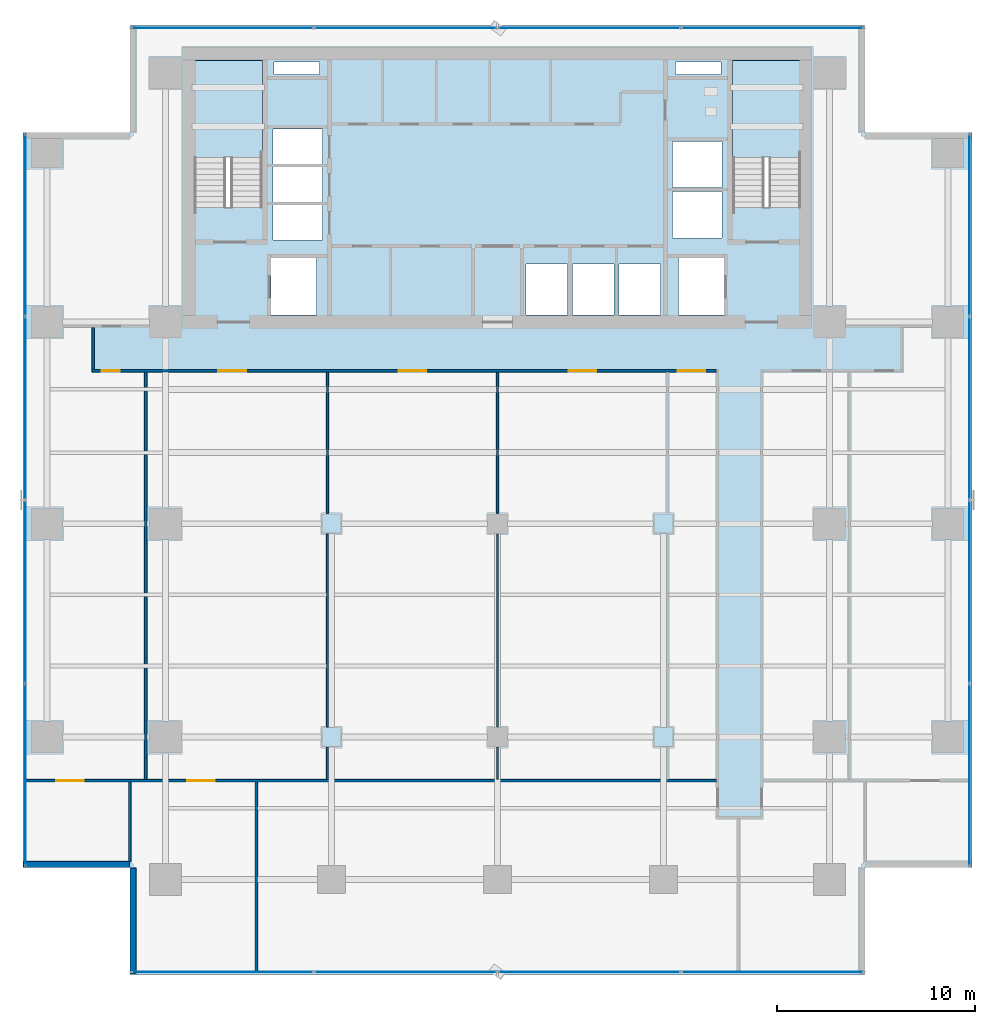
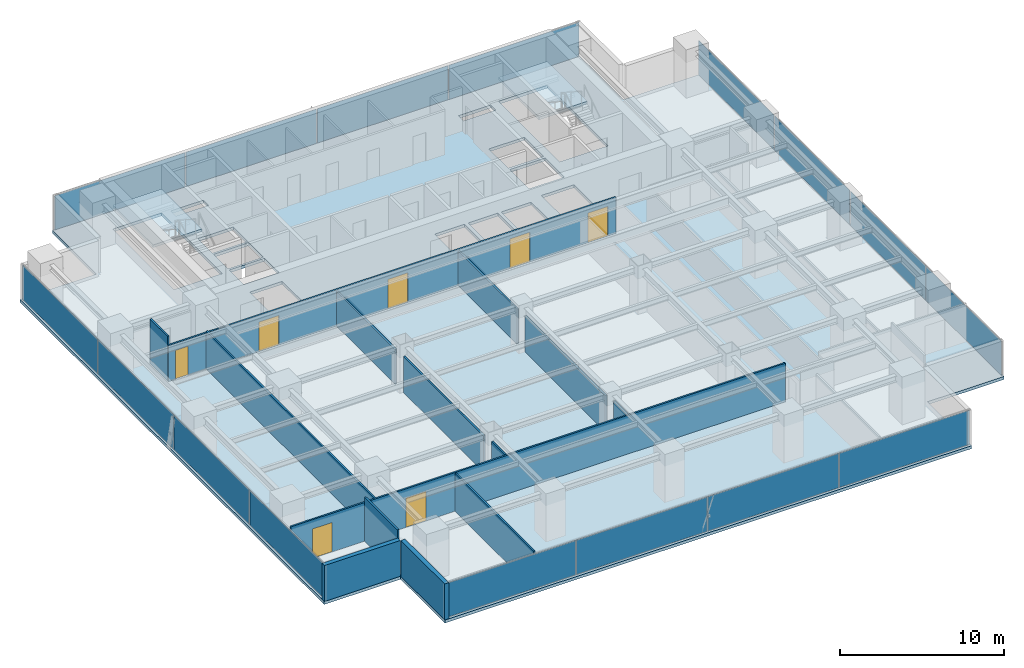
# One storey, part 20 of 28: 16 plates, 14 walls, 7 doors, 3 slabs, 7 openings, 6 elements without a shape of their own.
"""IFC4 building model written with IfcOpenShell, lengths in metres."""

from ifc_helpers import new_model, si_unit, direction, frame, frame_2d, origin, origin_2d, place, context, subcontext, project, spatial, polyline, rectangle, outline, extrude, source, transform, mapped, material, layer, layer_set, type_object, element, fill, aggregate, save


model = new_model("IFC4")

# Units and contexts
model_context = context("Model", 3, precision=1e-05, world=origin(), true_north=direction((0.0, 1.0)))
body_context = subcontext(model_context, "Body", "Model", "MODEL_VIEW")
ifc_project = project(units=[si_unit("LENGTHUNIT", "METRE"), si_unit("AREAUNIT", "SQUARE_METRE"), si_unit("VOLUMEUNIT", "CUBIC_METRE"), si_unit("PLANEANGLEUNIT", "RADIAN"), si_unit("MASSUNIT", "GRAM", prefix="KILO")], contexts=[model_context])

# Site, building, storey
site_placement = place(None, origin())
site = spatial("IfcSite", under=ifc_project, at=site_placement, CompositionType="ELEMENT")
building_placement = place(site_placement, origin())
building = spatial("IfcBuilding", under=site, at=building_placement, Name="Sumidabori Civic Tower", CompositionType="ELEMENT")
storey_placement = place(building_placement, frame((0.0, 0.0, 185.60009765625)))
storey = spatial("IfcBuildingStorey", under=building, at=storey_placement, Name="L48", CompositionType="ELEMENT", Elevation=185.60009765625)

# Stair, slab
ifc_material_1 = material(Name="Concrete C40/50", Category="concrete")
stair_type = type_object("IfcStairType", Name="ST-CORE-1600", PredefinedType="HALF_TURN_STAIR", material=ifc_material_1)
stair_1_placement = place(storey_placement, origin())
stair_1 = element("IfcStair", 1, at=stair_1_placement, inside=storey, type_object=stair_type, Name="L48 ST-1", PredefinedType="HALF_TURN_STAIR")
ifc_layer_1 = layer(ifc_material_1, 0.199951171875, Name="Concrete C40/50")
ifc_layer_set_1 = layer_set([ifc_layer_1], Name="Concrete C40/50")
slab_type_1 = type_object("IfcSlabType", Name="SL-LAND-200", PredefinedType="LANDING", material=ifc_layer_set_1)
slab_1_placement = place(storey_placement, frame((0.0, 0.0, 1.599853515625)))
slab_1 = element("IfcSlab", 2, at=slab_1_placement, type_object=slab_type_1, Name="ST-1 landing 1", PredefinedType="LANDING", context=body_context, shape_type="SweptSolid", body=[
    extrude(outline(polyline([(-11.89990234375, 18.52001953125), (-11.89990234375, 23.449951171875), (-15.340087890625, 23.449951171875), (-15.340087890625, 18.52001953125), (-11.89990234375, 18.52001953125)])), origin(), (0.0, 0.0, 1.0), 0.199951171875),
])
aggregate(stair_1, [slab_1])

stair_2_placement = place(storey_placement, origin())
stair_2 = element("IfcStair", 3, at=stair_2_placement, inside=storey, type_object=stair_type, Name="L48 ST-2", PredefinedType="HALF_TURN_STAIR")
slab_2_placement = place(storey_placement, frame((0.0, 0.0, 1.599853515625)))
slab_2 = element("IfcSlab", 4, at=slab_2_placement, type_object=slab_type_1, Name="ST-2 landing 1", PredefinedType="LANDING", context=body_context, shape_type="SweptSolid", body=[
    extrude(outline(polyline([(15.340087890625, 18.52001953125), (15.340087890625, 23.449951171875), (11.89990234375, 23.449951171875), (11.89990234375, 18.52001953125), (15.340087890625, 18.52001953125)])), origin(), (0.0, 0.0, 1.0), 0.199951171875),
])
aggregate(stair_2, [slab_2])

# Slab
ifc_layer_2 = layer(ifc_material_1, 0.219970703125, Name="Concrete C40/50")
ifc_layer_set_2 = layer_set([ifc_layer_2], Name="Concrete C40/50")
slab_type_2 = type_object("IfcSlabType", Name="SL-Z3-220", PredefinedType="FLOOR", material=ifc_layer_set_2)
slab_3_placement = place(storey_placement, frame((0.0, 0.0, -0.22021484375)))
element("IfcSlab", 5, at=slab_3_placement, inside=storey, type_object=slab_type_2, Name="Structural Slab L48", PredefinedType="FLOOR", context=body_context, shape_type="SweptSolid", body=[
    extrude(outline(polyline([(-18.60009765625, -22.800048828125), (18.60009765625, -22.800048828125), (18.60009765625, -17.39990234375), (24.0, -17.39990234375), (24.0, 19.800048828125), (18.60009765625, 19.800048828125), (18.60009765625, 25.199951171875), (-18.60009765625, 25.199951171875), (-18.60009765625, 19.800048828125), (-24.0, 19.800048828125), (-24.0, -17.39990234375), (-18.60009765625, -17.39990234375), (-18.60009765625, -22.800048828125)]), holes=[polyline([(-11.89990234375, 16.0), (-11.89990234375, 23.449951171875), (-15.340087890625, 23.449951171875), (-15.340087890625, 16.0), (-11.89990234375, 16.0)]), polyline([(15.340087890625, 16.0), (15.340087890625, 23.449951171875), (11.89990234375, 23.449951171875), (11.89990234375, 16.0), (15.340087890625, 16.0)]), polyline([(-11.449951171875, 10.550048828125), (-9.14990234375, 10.550048828125), (-9.14990234375, 13.449951171875), (-11.449951171875, 13.449951171875), (-11.449951171875, 10.550048828125)]), polyline([(9.14990234375, 10.550048828125), (11.449951171875, 10.550048828125), (11.449951171875, 13.449951171875), (9.14990234375, 13.449951171875), (9.14990234375, 10.550048828125)]), polyline([(1.449951171875, 10.550048828125), (3.550048828125, 10.550048828125), (3.550048828125, 13.14990234375), (1.449951171875, 13.14990234375), (1.449951171875, 10.550048828125)]), polyline([(3.800048828125, 10.550048828125), (5.89990234375, 10.550048828125), (5.89990234375, 13.14990234375), (3.800048828125, 13.14990234375), (3.800048828125, 10.550048828125)]), polyline([(6.14990234375, 10.550048828125), (8.25, 10.550048828125), (8.25, 13.14990234375), (6.14990234375, 13.14990234375), (6.14990234375, 10.550048828125)]), polyline([(-11.35009765625, 14.35009765625), (-8.85009765625, 14.35009765625), (-8.85009765625, 16.1201171875), (-11.35009765625, 16.1201171875), (-11.35009765625, 14.35009765625)]), polyline([(-11.35009765625, 16.27001953125), (-8.85009765625, 16.27001953125), (-8.85009765625, 18.0400390625), (-11.35009765625, 18.0400390625), (-11.35009765625, 16.27001953125)]), polyline([(-11.35009765625, 18.18994140625), (-8.85009765625, 18.18994140625), (-8.85009765625, 19.9599609375), (-11.35009765625, 19.9599609375), (-11.35009765625, 18.18994140625)]), polyline([(8.85009765625, 14.449951171875), (11.35009765625, 14.449951171875), (11.35009765625, 16.800048828125), (8.85009765625, 16.800048828125), (8.85009765625, 14.449951171875)]), polyline([(8.85009765625, 17.0), (11.35009765625, 17.0), (11.35009765625, 19.35009765625), (8.85009765625, 19.35009765625), (8.85009765625, 17.0)]), polyline([(-11.300048828125, 22.719970703125), (-9.0, 22.719970703125), (-9.0, 23.35009765625), (-11.300048828125, 23.35009765625), (-11.300048828125, 22.719970703125)]), polyline([(9.0, 22.719970703125), (11.300048828125, 22.719970703125), (11.300048828125, 23.35009765625), (9.0, 23.35009765625), (9.0, 22.719970703125)])]), origin(), (0.0, 0.0, 1.0), 0.22021484375),
])

# Curtain wall, plates
ifc_material_2 = material(Name="Anodised Bronze Aluminium AW-6063-T6", Category="aluminium")
ifc_layer_3 = layer(ifc_material_2, 0.179931640625, Name="Anodised Bronze Aluminium AW-6063-T6")
ifc_layer_set_3 = layer_set([ifc_layer_3], Name="Anodised Bronze Aluminium AW-6063-T6")
curtain_wall_type = type_object("IfcCurtainWallType", Name="CW-SYS-3", PredefinedType="NOTDEFINED", material=ifc_layer_set_3)
curtain_wall_1_placement = place(storey_placement, origin())
curtain_wall_1 = element("IfcCurtainWall", 6, at=curtain_wall_1_placement, inside=storey, type_object=curtain_wall_type, Name="Curtain Wall CW:L48:R01", PredefinedType="NOTDEFINED")
ifc_material_3 = material(Name="Low-E Solar-Control Vision Glazing", Category="glass")
ifc_layer_4 = layer(ifc_material_3, 0.028076171875, Name="Low-E Solar-Control Vision Glazing")
ifc_layer_set_4 = layer_set([ifc_layer_4], Name="Low-E Solar-Control Vision Glazing")
plate_type = type_object("IfcPlateType", Name="CW-PNL-28", PredefinedType="CURTAIN_PANEL", material=ifc_layer_set_4)
shared_shape_1 = source(origin(), body_context, "Body", "SweptSolid", [
    extrude(rectangle(XDim=9.1875, YDim=0.028076171875, at=origin_2d()), origin(), (0.0, 0.0, 1.0), 2.56005859375),
])
plate_1_placement = place(storey_placement, frame((-13.9111328125, -22.679931640625, 0.059814453125), z_axis=(0.0, 0.0, 1.0), x_axis=(1.0, 0.0, 0.0)))
plate_1 = element("IfcPlate", 7, at=plate_1_placement, type_object=plate_type, Name="CW-3 panel 1.1", PredefinedType="CURTAIN_PANEL", context=body_context, shape_type="MappedRepresentation", body=[
    mapped(shared_shape_1, transform((0.0, 0.0, 0.0), x_axis=(1.0, 0.0, 0.0), y_axis=(0.0, 1.0, 0.0), z_axis=(0.0, 0.0, 1.0), scale=1.0)),
])
plate_2_placement = place(storey_placement, frame((13.9111328125, -22.679931640625, 0.059814453125), z_axis=(0.0, 0.0, 1.0), x_axis=(1.0, 0.0, 0.0)))
plate_2 = element("IfcPlate", 8, at=plate_2_placement, type_object=plate_type, Name="CW-3 panel 4.1", PredefinedType="CURTAIN_PANEL", context=body_context, shape_type="MappedRepresentation", body=[
    mapped(shared_shape_1, transform((0.0, 0.0, 0.0), x_axis=(1.0, 0.0, 0.0), y_axis=(0.0, 1.0, 0.0), z_axis=(0.0, 0.0, 1.0), scale=1.0)),
])

curtain_wall_2_placement = place(storey_placement, origin())
curtain_wall_2 = element("IfcCurtainWall", 9, at=curtain_wall_2_placement, inside=storey, type_object=curtain_wall_type, Name="Curtain Wall CW:L48:R04", PredefinedType="NOTDEFINED")
plate_3_placement = place(storey_placement, frame((23.8798828125, -12.711181640625, 0.059814453125), z_axis=(0.0, 0.0, 1.0), x_axis=(0.0, 1.0, 0.0)))
plate_3 = element("IfcPlate", 10, at=plate_3_placement, type_object=plate_type, Name="CW-3 panel 1.1", PredefinedType="CURTAIN_PANEL", context=body_context, shape_type="MappedRepresentation", body=[
    mapped(shared_shape_1, transform((0.0, 0.0, 0.0), x_axis=(1.0, 0.0, 0.0), y_axis=(0.0, 1.0, 0.0), z_axis=(0.0, 0.0, 1.0), scale=1.0)),
])
plate_4_placement = place(storey_placement, frame((23.8798828125, 15.111328125, 0.059814453125), z_axis=(0.0, 0.0, 1.0), x_axis=(0.0, 1.0, 0.0)))
plate_4 = element("IfcPlate", 11, at=plate_4_placement, type_object=plate_type, Name="CW-3 panel 4.1", PredefinedType="CURTAIN_PANEL", context=body_context, shape_type="MappedRepresentation", body=[
    mapped(shared_shape_1, transform((0.0, 0.0, 0.0), x_axis=(1.0, 0.0, 0.0), y_axis=(0.0, 1.0, 0.0), z_axis=(0.0, 0.0, 1.0), scale=1.0)),
])

curtain_wall_3_placement = place(storey_placement, origin())
curtain_wall_3 = element("IfcCurtainWall", 12, at=curtain_wall_3_placement, inside=storey, type_object=curtain_wall_type, Name="Curtain Wall CW:L48:R07", PredefinedType="NOTDEFINED")
plate_5_placement = place(storey_placement, frame((13.9111328125, 25.080078125, 0.059814453125), z_axis=(0.0, 0.0, 1.0), x_axis=(-1.0, 0.0, 0.0)))
plate_5 = element("IfcPlate", 13, at=plate_5_placement, type_object=plate_type, Name="CW-3 panel 1.1", PredefinedType="CURTAIN_PANEL", context=body_context, shape_type="MappedRepresentation", body=[
    mapped(shared_shape_1, transform((0.0, 0.0, 0.0), x_axis=(1.0, 0.0, 0.0), y_axis=(0.0, 1.0, 0.0), z_axis=(0.0, 0.0, 1.0), scale=1.0)),
])
plate_6_placement = place(storey_placement, frame((-13.9111328125, 25.080078125, 0.059814453125), z_axis=(0.0, 0.0, 1.0), x_axis=(-1.0, 0.0, 0.0)))
plate_6 = element("IfcPlate", 14, at=plate_6_placement, type_object=plate_type, Name="CW-3 panel 4.1", PredefinedType="CURTAIN_PANEL", context=body_context, shape_type="MappedRepresentation", body=[
    mapped(shared_shape_1, transform((0.0, 0.0, 0.0), x_axis=(1.0, 0.0, 0.0), y_axis=(0.0, 1.0, 0.0), z_axis=(0.0, 0.0, 1.0), scale=1.0)),
])

curtain_wall_4_placement = place(storey_placement, origin())
curtain_wall_4 = element("IfcCurtainWall", 15, at=curtain_wall_4_placement, inside=storey, type_object=curtain_wall_type, Name="Curtain Wall CW:L48:R10", PredefinedType="NOTDEFINED")
plate_7_placement = place(storey_placement, frame((-23.8798828125, 15.111328125, 0.059814453125), z_axis=(0.0, 0.0, 1.0), x_axis=(0.0, -1.0, 0.0)))
plate_7 = element("IfcPlate", 16, at=plate_7_placement, type_object=plate_type, Name="CW-3 panel 1.1", PredefinedType="CURTAIN_PANEL", context=body_context, shape_type="MappedRepresentation", body=[
    mapped(shared_shape_1, transform((0.0, 0.0, 0.0), x_axis=(1.0, 0.0, 0.0), y_axis=(0.0, 1.0, 0.0), z_axis=(0.0, 0.0, 1.0), scale=1.0)),
])
plate_8_placement = place(storey_placement, frame((-23.8798828125, -12.711181640625, 0.059814453125), z_axis=(0.0, 0.0, 1.0), x_axis=(0.0, -1.0, 0.0)))
plate_8 = element("IfcPlate", 17, at=plate_8_placement, type_object=plate_type, Name="CW-3 panel 4.1", PredefinedType="CURTAIN_PANEL", context=body_context, shape_type="MappedRepresentation", body=[
    mapped(shared_shape_1, transform((0.0, 0.0, 0.0), x_axis=(1.0, 0.0, 0.0), y_axis=(0.0, 1.0, 0.0), z_axis=(0.0, 0.0, 1.0), scale=1.0)),
])

# Plate
shared_shape_2 = source(origin(), body_context, "Body", "SweptSolid", [
    extrude(rectangle(XDim=9.219970703125, YDim=0.028076171875, at=origin_2d()), origin(), (0.0, 0.0, 1.0), 2.56005859375),
])
plate_9_placement = place(storey_placement, frame((-4.642578125, -22.679931640625, 0.059814453125), z_axis=(0.0, 0.0, 1.0), x_axis=(1.0, 0.0, 0.0)))
plate_9 = element("IfcPlate", 18, at=plate_9_placement, type_object=plate_type, Name="CW-3 panel 2.1", PredefinedType="CURTAIN_PANEL", context=body_context, shape_type="MappedRepresentation", body=[
    mapped(shared_shape_2, transform((0.0, 0.0, 0.0), x_axis=(1.0, 0.0, 0.0), y_axis=(0.0, 1.0, 0.0), z_axis=(0.0, 0.0, 1.0), scale=1.0)),
])

plate_10_placement = place(storey_placement, frame((4.642578125, -22.679931640625, 0.059814453125), z_axis=(0.0, 0.0, 1.0), x_axis=(1.0, 0.0, 0.0)))
plate_10 = element("IfcPlate", 19, at=plate_10_placement, type_object=plate_type, Name="CW-3 panel 3.1", PredefinedType="CURTAIN_PANEL", context=body_context, shape_type="MappedRepresentation", body=[
    mapped(shared_shape_2, transform((0.0, 0.0, 0.0), x_axis=(1.0, 0.0, 0.0), y_axis=(0.0, 1.0, 0.0), z_axis=(0.0, 0.0, 1.0), scale=1.0)),
])

aggregate(curtain_wall_1, [plate_1, plate_9, plate_10, plate_2])

plate_11_placement = place(storey_placement, frame((23.8798828125, -3.4423828125, 0.059814453125), z_axis=(0.0, 0.0, 1.0), x_axis=(0.0, 1.0, 0.0)))
plate_11 = element("IfcPlate", 20, at=plate_11_placement, type_object=plate_type, Name="CW-3 panel 2.1", PredefinedType="CURTAIN_PANEL", context=body_context, shape_type="MappedRepresentation", body=[
    mapped(shared_shape_2, transform((0.0, 0.0, 0.0), x_axis=(1.0, 0.0, 0.0), y_axis=(0.0, 1.0, 0.0), z_axis=(0.0, 0.0, 1.0), scale=1.0)),
])

plate_12_placement = place(storey_placement, frame((23.8798828125, 5.842529296875, 0.059814453125), z_axis=(0.0, 0.0, 1.0), x_axis=(0.0, 1.0, 0.0)))
plate_12 = element("IfcPlate", 21, at=plate_12_placement, type_object=plate_type, Name="CW-3 panel 3.1", PredefinedType="CURTAIN_PANEL", context=body_context, shape_type="MappedRepresentation", body=[
    mapped(shared_shape_2, transform((0.0, 0.0, 0.0), x_axis=(1.0, 0.0, 0.0), y_axis=(0.0, 1.0, 0.0), z_axis=(0.0, 0.0, 1.0), scale=1.0)),
])

aggregate(curtain_wall_2, [plate_3, plate_11, plate_12, plate_4])

plate_13_placement = place(storey_placement, frame((4.642578125, 25.080078125, 0.059814453125), z_axis=(0.0, 0.0, 1.0), x_axis=(-1.0, 0.0, 0.0)))
plate_13 = element("IfcPlate", 22, at=plate_13_placement, type_object=plate_type, Name="CW-3 panel 2.1", PredefinedType="CURTAIN_PANEL", context=body_context, shape_type="MappedRepresentation", body=[
    mapped(shared_shape_2, transform((0.0, 0.0, 0.0), x_axis=(1.0, 0.0, 0.0), y_axis=(0.0, 1.0, 0.0), z_axis=(0.0, 0.0, 1.0), scale=1.0)),
])

plate_14_placement = place(storey_placement, frame((-4.642578125, 25.080078125, 0.059814453125), z_axis=(0.0, 0.0, 1.0), x_axis=(-1.0, 0.0, 0.0)))
plate_14 = element("IfcPlate", 23, at=plate_14_placement, type_object=plate_type, Name="CW-3 panel 3.1", PredefinedType="CURTAIN_PANEL", context=body_context, shape_type="MappedRepresentation", body=[
    mapped(shared_shape_2, transform((0.0, 0.0, 0.0), x_axis=(1.0, 0.0, 0.0), y_axis=(0.0, 1.0, 0.0), z_axis=(0.0, 0.0, 1.0), scale=1.0)),
])

aggregate(curtain_wall_3, [plate_5, plate_13, plate_14, plate_6])

plate_15_placement = place(storey_placement, frame((-23.8798828125, 5.842529296875, 0.059814453125), z_axis=(0.0, 0.0, 1.0), x_axis=(0.0, -1.0, 0.0)))
plate_15 = element("IfcPlate", 24, at=plate_15_placement, type_object=plate_type, Name="CW-3 panel 2.1", PredefinedType="CURTAIN_PANEL", context=body_context, shape_type="MappedRepresentation", body=[
    mapped(shared_shape_2, transform((0.0, 0.0, 0.0), x_axis=(1.0, 0.0, 0.0), y_axis=(0.0, 1.0, 0.0), z_axis=(0.0, 0.0, 1.0), scale=1.0)),
])

plate_16_placement = place(storey_placement, frame((-23.8798828125, -3.4423828125, 0.059814453125), z_axis=(0.0, 0.0, 1.0), x_axis=(0.0, -1.0, 0.0)))
plate_16 = element("IfcPlate", 25, at=plate_16_placement, type_object=plate_type, Name="CW-3 panel 3.1", PredefinedType="CURTAIN_PANEL", context=body_context, shape_type="MappedRepresentation", body=[
    mapped(shared_shape_2, transform((0.0, 0.0, 0.0), x_axis=(1.0, 0.0, 0.0), y_axis=(0.0, 1.0, 0.0), z_axis=(0.0, 0.0, 1.0), scale=1.0)),
])

aggregate(curtain_wall_4, [plate_7, plate_15, plate_16, plate_8])

# Walls
ifc_material_4 = material(Name="Precast concrete C40/50", Category="concrete")
ifc_layer_5 = layer(ifc_material_4, 0.300048828125, Name="Precast concrete C40/50")
ifc_layer_set_5 = layer_set([ifc_layer_5], Name="Precast concrete C40/50")
wall_type_1 = type_object("IfcWallType", Name="WL-EXT-POD300", PredefinedType="STANDARD", material=ifc_layer_set_5)
shared_shape_3 = source(origin(), body_context, "Body", "SweptSolid", [
    extrude(rectangle(XDim=5.360107421875, YDim=0.300048828125, at=frame_2d((2.68017578125, 0.0))), origin(), (0.0, 0.0, 1.0), 2.679931640625),
])
wall_1_placement = place(storey_placement, frame((-18.449951171875, -17.419921875, 0.0), z_axis=(0.0, 0.0, 1.0), x_axis=(0.0, -1.0, 0.0)))
element("IfcWall", 26, at=wall_1_placement, inside=storey, type_object=wall_type_1, Name="Notched Corner Spandrel Band L48-12", PredefinedType="STANDARD", context=body_context, shape_type="MappedRepresentation", body=[
    mapped(shared_shape_3, transform((0.0, 0.0, 0.0), x_axis=(1.0, 0.0, 0.0), y_axis=(0.0, 1.0, 0.0), z_axis=(0.0, 0.0, 1.0), scale=1.0)),
])
shared_shape_4 = source(origin(), body_context, "Body", "SweptSolid", [
    extrude(rectangle(XDim=5.35986328125, YDim=0.300048828125, at=frame_2d((2.679931640625, 0.0))), origin(), (0.0, 0.0, 1.0), 2.679931640625),
])
wall_2_placement = place(storey_placement, frame((-23.97998046875, -17.25, 0.0), z_axis=(0.0, 0.0, 1.0), x_axis=(1.0, 0.0, 0.0)))
element("IfcWall", 27, at=wall_2_placement, inside=storey, type_object=wall_type_1, Name="Notched Corner Spandrel Band L48-11", PredefinedType="STANDARD", context=body_context, shape_type="MappedRepresentation", body=[
    mapped(shared_shape_4, transform((0.0, 0.0, 0.0), x_axis=(1.0, 0.0, 0.0), y_axis=(0.0, 1.0, 0.0), z_axis=(0.0, 0.0, 1.0), scale=1.0)),
])

# Wall, openings, doors
ifc_material_5 = material(Name="Gypsum Plasterboard Acoustic Partition")
ifc_layer_6 = layer(ifc_material_5, 0.1201171875, Name="Gypsum Plasterboard Acoustic Partition")
ifc_layer_set_6 = layer_set([ifc_layer_6], Name="Gypsum Plasterboard Acoustic Partition")
wall_type_2 = type_object("IfcWallType", Name="WL-PART-120", PredefinedType="PARTITIONING", material=ifc_layer_set_6)
shared_shape_5 = source(origin(), body_context, "Body", "SweptSolid", [
    extrude(rectangle(XDim=31.60009765625, YDim=0.1201171875, at=frame_2d((15.800048828125, 0.0))), origin(), (0.0, 0.0, 1.0), 2.684814453125),
])
wall_3_placement = place(storey_placement, frame((-20.52001953125, 7.739990234375, 0.0), z_axis=(0.0, 0.0, 1.0), x_axis=(1.0, 0.0, 0.0)))
wall_3 = element("IfcWall", 28, at=wall_3_placement, inside=storey, type_object=wall_type_2, Name="Interior Partition WL:L48:CORR-SW", PredefinedType="PARTITIONING", context=body_context, shape_type="MappedRepresentation", body=[
    mapped(shared_shape_5, transform((0.0, 0.0, 0.0), x_axis=(1.0, 0.0, 0.0), y_axis=(0.0, 1.0, 0.0), z_axis=(0.0, 0.0, 1.0), scale=1.0)),
])
opening_1_placement = place(wall_3_placement, frame((0.5, 0.0, 0.0)))
opening_1 = element("IfcOpeningElement", 29, at=opening_1_placement, cuts=wall_3, Name="Opening DR-1", PredefinedType="OPENING", context=body_context, shape_type="SweptSolid", body=[
    extrude(rectangle(XDim=0.89990234375, YDim=2.14990234375, at=frame_2d((0.449951171875, 1.074951171875))), frame((0.0, 0.072021484375, 0.0), z_axis=(0.0, -1.0, 0.0), x_axis=(1.0, 0.0, 0.0)), (0.0, 0.0, 1.0), 0.14404296875),
])
opening_2_placement = place(wall_3_placement, frame((6.39990234375, 0.0, 0.0)))
opening_2 = element("IfcOpeningElement", 30, at=opening_2_placement, cuts=wall_3, Name="Opening DR-5", PredefinedType="OPENING", context=body_context, shape_type="SweptSolid", body=[
    extrude(rectangle(XDim=1.39990234375, YDim=2.199951171875, at=frame_2d((0.699951171875, 1.10009765625))), frame((0.0, 0.072021484375, 0.0), z_axis=(0.0, -1.0, 0.0), x_axis=(1.0, 0.0, 0.0)), (0.0, 0.0, 1.0), 0.14404296875),
])
opening_3_placement = place(wall_3_placement, frame((15.52001953125, 0.0, 0.0)))
opening_3 = element("IfcOpeningElement", 31, at=opening_3_placement, cuts=wall_3, Name="Opening DR-5", PredefinedType="OPENING", context=body_context, shape_type="SweptSolid", body=[
    extrude(rectangle(XDim=1.39990234375, YDim=2.199951171875, at=frame_2d((0.699951171875, 1.10009765625))), frame((0.0, 0.072021484375, 0.0), z_axis=(0.0, -1.0, 0.0), x_axis=(1.0, 0.0, 0.0)), (0.0, 0.0, 1.0), 0.14404296875),
])
opening_4_placement = place(wall_3_placement, frame((24.1201171875, 0.0, 0.0)))
opening_4 = element("IfcOpeningElement", 32, at=opening_4_placement, cuts=wall_3, Name="Opening DR-5", PredefinedType="OPENING", context=body_context, shape_type="SweptSolid", body=[
    extrude(rectangle(XDim=1.39990234375, YDim=2.199951171875, at=frame_2d((0.699951171875, 1.10009765625))), frame((0.0, 0.072021484375, 0.0), z_axis=(0.0, -1.0, 0.0), x_axis=(1.0, 0.0, 0.0)), (0.0, 0.0, 1.0), 0.14404296875),
])
opening_5_placement = place(wall_3_placement, frame((29.6298828125, 0.0, 0.0)))
opening_5 = element("IfcOpeningElement", 33, at=opening_5_placement, cuts=wall_3, Name="Opening DR-5", PredefinedType="OPENING", context=body_context, shape_type="SweptSolid", body=[
    extrude(rectangle(XDim=1.39990234375, YDim=2.199951171875, at=frame_2d((0.699951171875, 1.10009765625))), frame((0.0, 0.072021484375, 0.0), z_axis=(0.0, -1.0, 0.0), x_axis=(1.0, 0.0, 0.0)), (0.0, 0.0, 1.0), 0.14404296875),
])
ifc_material_6 = material(Name="Japanese Hinoki Timber", Category="wood")
door_type_1 = type_object("IfcDoorType", Name="DR-INT-900", OperationType="NOTDEFINED", PredefinedType="DOOR", material=ifc_material_6)
shared_shape_6 = source(origin(), body_context, "Body", "SweptSolid", [
    extrude(rectangle(XDim=0.89990234375, YDim=2.14990234375, at=frame_2d((0.449951171875, 1.074951171875))), frame((0.0, 0.02490234375, 0.0), z_axis=(0.0, -1.0, 0.0), x_axis=(1.0, 0.0, 0.0)), (0.0, 0.0, 1.0), 0.050048828125),
])
door_1_placement = place(opening_1_placement, origin())
door_1 = element("IfcDoor", 34, at=door_1_placement, inside=storey, type_object=door_type_1, Name="Door DR:L48:D02", OperationType="SINGLE_SWING_RIGHT", OverallHeight=2.14990234375, OverallWidth=0.89990234375, PredefinedType="DOOR", context=body_context, shape_type="MappedRepresentation", body=[
    mapped(shared_shape_6, transform((0.0, 0.0, 0.0), x_axis=(1.0, 0.0, 0.0), y_axis=(0.0, 1.0, 0.0), z_axis=(0.0, 0.0, 1.0), scale=1.0)),
])
fill(opening_1, door_1)
door_type_2 = type_object("IfcDoorType", Name="DR-DBL-1400", OperationType="DOUBLE_DOOR_SINGLE_SWING", PredefinedType="DOOR", material=ifc_material_2)
shared_shape_7 = source(origin(), body_context, "Body", "SweptSolid", [
    extrude(rectangle(XDim=1.39990234375, YDim=2.199951171875, at=frame_2d((0.699951171875, 1.10009765625))), frame((0.0, 0.02490234375, 0.0), z_axis=(0.0, -1.0, 0.0), x_axis=(1.0, 0.0, 0.0)), (0.0, 0.0, 1.0), 0.050048828125),
])
door_2_placement = place(opening_2_placement, origin())
door_2 = element("IfcDoor", 35, at=door_2_placement, inside=storey, type_object=door_type_2, Name="Door DR:L48:D05", OperationType="DOUBLE_DOOR_SINGLE_SWING", OverallHeight=2.199951171875, OverallWidth=1.39990234375, PredefinedType="DOOR", context=body_context, shape_type="MappedRepresentation", body=[
    mapped(shared_shape_7, transform((0.0, 0.0, 0.0), x_axis=(1.0, 0.0, 0.0), y_axis=(0.0, 1.0, 0.0), z_axis=(0.0, 0.0, 1.0), scale=1.0)),
])
fill(opening_2, door_2)
door_3_placement = place(opening_3_placement, origin())
door_3 = element("IfcDoor", 36, at=door_3_placement, inside=storey, type_object=door_type_2, Name="Door DR:L48:D06", OperationType="DOUBLE_DOOR_SINGLE_SWING", OverallHeight=2.199951171875, OverallWidth=1.39990234375, PredefinedType="DOOR", context=body_context, shape_type="MappedRepresentation", body=[
    mapped(shared_shape_7, transform((0.0, 0.0, 0.0), x_axis=(1.0, 0.0, 0.0), y_axis=(0.0, 1.0, 0.0), z_axis=(0.0, 0.0, 1.0), scale=1.0)),
])
fill(opening_3, door_3)
door_4_placement = place(opening_4_placement, origin())
door_4 = element("IfcDoor", 37, at=door_4_placement, inside=storey, type_object=door_type_2, Name="Door DR:L48:D07", OperationType="DOUBLE_DOOR_SINGLE_SWING", OverallHeight=2.199951171875, OverallWidth=1.39990234375, PredefinedType="DOOR", context=body_context, shape_type="MappedRepresentation", body=[
    mapped(shared_shape_7, transform((0.0, 0.0, 0.0), x_axis=(1.0, 0.0, 0.0), y_axis=(0.0, 1.0, 0.0), z_axis=(0.0, 0.0, 1.0), scale=1.0)),
])
fill(opening_4, door_4)
door_5_placement = place(opening_5_placement, origin())
door_5 = element("IfcDoor", 38, at=door_5_placement, inside=storey, type_object=door_type_2, Name="Door DR:L48:D08", OperationType="DOUBLE_DOOR_SINGLE_SWING", OverallHeight=2.199951171875, OverallWidth=1.39990234375, PredefinedType="DOOR", context=body_context, shape_type="MappedRepresentation", body=[
    mapped(shared_shape_7, transform((0.0, 0.0, 0.0), x_axis=(1.0, 0.0, 0.0), y_axis=(0.0, 1.0, 0.0), z_axis=(0.0, 0.0, 1.0), scale=1.0)),
])
fill(opening_5, door_5)

# Wall
shared_shape_8 = source(origin(), body_context, "Body", "SweptSolid", [
    extrude(rectangle(XDim=2.130126953125, YDim=0.1201171875, at=frame_2d((1.06494140625, 0.0))), origin(), (0.0, 0.0, 1.0), 3.2998046875),
])
wall_4_placement = place(storey_placement, frame((-20.4599609375, 7.804931640625, 0.0), z_axis=(0.0, 0.0, 1.0), x_axis=(0.0, 1.0, 0.0)))
element("IfcWall", 39, at=wall_4_placement, inside=storey, type_object=wall_type_2, Name="Interior Partition WL:L48:CORR-VNW", PredefinedType="PARTITIONING", context=body_context, shape_type="MappedRepresentation", body=[
    mapped(shared_shape_8, transform((0.0, 0.0, 0.0), x_axis=(1.0, 0.0, 0.0), y_axis=(0.0, 1.0, 0.0), z_axis=(0.0, 0.0, 1.0), scale=1.0)),
])

# Wall, openings, doors
shared_shape_9 = source(origin(), body_context, "Body", "SweptSolid", [
    extrude(rectangle(XDim=34.925048828125, YDim=0.1201171875, at=frame_2d((17.46240234375, 0.0))), origin(), (0.0, 0.0, 1.0), 2.885009765625),
])
wall_5_placement = place(storey_placement, frame((-23.85009765625, -13.0, 0.0), z_axis=(0.0, 0.0, 1.0), x_axis=(1.0, 0.0, 0.0)))
wall_5 = element("IfcWall", 40, at=wall_5_placement, inside=storey, type_object=wall_type_2, Name="Interior Partition WL:L48:BAND-Y-1", PredefinedType="PARTITIONING", context=body_context, shape_type="MappedRepresentation", body=[
    mapped(shared_shape_9, transform((0.0, 0.0, 0.0), x_axis=(1.0, 0.0, 0.0), y_axis=(0.0, 1.0, 0.0), z_axis=(0.0, 0.0, 1.0), scale=1.0)),
])
opening_6_placement = place(wall_5_placement, frame((1.514892578125, 0.0, 0.0)))
opening_6 = element("IfcOpeningElement", 41, at=opening_6_placement, cuts=wall_5, Name="Opening DR-5", PredefinedType="OPENING", context=body_context, shape_type="SweptSolid", body=[
    extrude(rectangle(XDim=1.39990234375, YDim=2.199951171875, at=frame_2d((0.699951171875, 1.10009765625))), frame((0.0, 0.072021484375, 0.0), z_axis=(0.0, -1.0, 0.0), x_axis=(1.0, 0.0, 0.0)), (0.0, 0.0, 1.0), 0.14404296875),
])
opening_7_placement = place(wall_5_placement, frame((8.14990234375, 0.0, 0.0)))
opening_7 = element("IfcOpeningElement", 42, at=opening_7_placement, cuts=wall_5, Name="Opening DR-5", PredefinedType="OPENING", context=body_context, shape_type="SweptSolid", body=[
    extrude(rectangle(XDim=1.39990234375, YDim=2.199951171875, at=frame_2d((0.699951171875, 1.10009765625))), frame((0.0, 0.072021484375, 0.0), z_axis=(0.0, -1.0, 0.0), x_axis=(1.0, 0.0, 0.0)), (0.0, 0.0, 1.0), 0.14404296875),
])
door_6_placement = place(opening_6_placement, origin())
door_6 = element("IfcDoor", 43, at=door_6_placement, inside=storey, type_object=door_type_2, Name="Door DR:L48:D11", OperationType="DOUBLE_DOOR_SINGLE_SWING", OverallHeight=2.199951171875, OverallWidth=1.39990234375, PredefinedType="DOOR", context=body_context, shape_type="MappedRepresentation", body=[
    mapped(shared_shape_7, transform((0.0, 0.0, 0.0), x_axis=(1.0, 0.0, 0.0), y_axis=(0.0, 1.0, 0.0), z_axis=(0.0, 0.0, 1.0), scale=1.0)),
])
fill(opening_6, door_6)
door_7_placement = place(opening_7_placement, origin())
door_7 = element("IfcDoor", 44, at=door_7_placement, inside=storey, type_object=door_type_2, Name="Door DR:L48:D13", OperationType="DOUBLE_DOOR_SINGLE_SWING", OverallHeight=2.199951171875, OverallWidth=1.39990234375, PredefinedType="DOOR", context=body_context, shape_type="MappedRepresentation", body=[
    mapped(shared_shape_7, transform((0.0, 0.0, 0.0), x_axis=(1.0, 0.0, 0.0), y_axis=(0.0, 1.0, 0.0), z_axis=(0.0, 0.0, 1.0), scale=1.0)),
])
fill(opening_7, door_7)

# Walls
shared_shape_10 = source(origin(), body_context, "Body", "SweptSolid", [
    extrude(rectangle(XDim=20.610107421875, YDim=0.1201171875, at=frame_2d((10.30517578125, 0.0))), origin(), (0.0, 0.0, 1.0), 2.8349609375),
])
wall_6_placement = place(storey_placement, frame((-17.800048828125, -12.93505859375, 0.0), z_axis=(0.0, 0.0, 1.0), x_axis=(0.0, 1.0, 0.0)))
element("IfcWall", 45, at=wall_6_placement, inside=storey, type_object=wall_type_2, Name="Interior Partition WL:L48:VX-N1", PredefinedType="PARTITIONING", context=body_context, shape_type="MappedRepresentation", body=[
    mapped(shared_shape_10, transform((0.0, 0.0, 0.0), x_axis=(1.0, 0.0, 0.0), y_axis=(0.0, 1.0, 0.0), z_axis=(0.0, 0.0, 1.0), scale=1.0)),
])
shared_shape_11 = source(origin(), body_context, "Body", "SweptSolid", [
    extrude(rectangle(XDim=1.625, YDim=0.1201171875, at=frame_2d((0.8125, 0.0))), origin(), (0.0, 0.0, 1.0), 2.885009765625),
])
for number, where, z_axis, x_axis, name in (
    (46, (-8.60009765625, -12.93505859375, 0.0), (0.0, 0.0, 1.0), (0.0, 1.0, 0.0), "Interior Partition WL:L48:VX-N2-1"),
    (47, (0.0, -12.93505859375, 0.0), (0.0, 0.0, 1.0), (0.0, 1.0, 0.0), "Interior Partition WL:L48:VX-N3-1"),
):
    element("IfcWall", number, at=place(storey_placement, frame(where, z_axis=z_axis, x_axis=x_axis)), inside=storey, type_object=wall_type_2, Name=name, PredefinedType="PARTITIONING", context=body_context, shape_type="MappedRepresentation", body=[
        mapped(shared_shape_11, transform((0.0, 0.0, 0.0), x_axis=(1.0, 0.0, 0.0), y_axis=(0.0, 1.0, 0.0), z_axis=(0.0, 0.0, 1.0), scale=1.0)),
    ])
shared_shape_12 = source(origin(), body_context, "Body", "SweptSolid", [
    extrude(rectangle(XDim=9.780029296875, YDim=0.1201171875, at=frame_2d((4.89013671875, 0.0))), origin(), (0.0, 0.0, 1.0), 2.684814453125),
])
for number, where, z_axis, x_axis, name in (
    (48, (-8.60009765625, -10.2900390625, 0.0), (0.0, 0.0, 1.0), (0.0, 1.0, 0.0), "Interior Partition WL:L48:VX-N2-2"),
    (49, (0.0, -10.2900390625, 0.0), (0.0, 0.0, 1.0), (0.0, 1.0, 0.0), "Interior Partition WL:L48:VX-N3-2"),
):
    element("IfcWall", number, at=place(storey_placement, frame(where, z_axis=z_axis, x_axis=x_axis)), inside=storey, type_object=wall_type_2, Name=name, PredefinedType="PARTITIONING", context=body_context, shape_type="MappedRepresentation", body=[
        mapped(shared_shape_12, transform((0.0, 0.0, 0.0), x_axis=(1.0, 0.0, 0.0), y_axis=(0.0, 1.0, 0.0), z_axis=(0.0, 0.0, 1.0), scale=1.0)),
    ])
shared_shape_13 = source(origin(), body_context, "Body", "SweptSolid", [
    extrude(rectangle(XDim=7.1650390625, YDim=0.1201171875, at=frame_2d((3.58251953125, 0.0))), origin(), (0.0, 0.0, 1.0), 2.5849609375),
])
for number, where, z_axis, x_axis, name in (
    (50, (-8.60009765625, 0.510009765625, 0.0), (0.0, 0.0, 1.0), (0.0, 1.0, 0.0), "Interior Partition WL:L48:VX-N2-3"),
    (51, (0.0, 0.510009765625, 0.0), (0.0, 0.0, 1.0), (0.0, 1.0, 0.0), "Interior Partition WL:L48:VX-N3-3"),
):
    element("IfcWall", number, at=place(storey_placement, frame(where, z_axis=z_axis, x_axis=x_axis)), inside=storey, type_object=wall_type_2, Name=name, PredefinedType="PARTITIONING", context=body_context, shape_type="MappedRepresentation", body=[
        mapped(shared_shape_13, transform((0.0, 0.0, 0.0), x_axis=(1.0, 0.0, 0.0), y_axis=(0.0, 1.0, 0.0), z_axis=(0.0, 0.0, 1.0), scale=1.0)),
    ])
shared_shape_14 = source(origin(), body_context, "Body", "SweptSolid", [
    extrude(rectangle(XDim=4.027099609375, YDim=0.1201171875, at=frame_2d((2.013671875, 0.0))), origin(), (0.0, 0.0, 1.0), 3.2998046875),
])
wall_7_placement = place(storey_placement, frame((-18.60009765625, -17.092041015625, 0.0), z_axis=(0.0, 0.0, 1.0), x_axis=(0.0, 1.0, 0.0)))
element("IfcWall", 52, at=wall_7_placement, inside=storey, type_object=wall_type_2, Name="Interior Partition WL:L48:VX-S1", PredefinedType="PARTITIONING", context=body_context, shape_type="MappedRepresentation", body=[
    mapped(shared_shape_14, transform((0.0, 0.0, 0.0), x_axis=(1.0, 0.0, 0.0), y_axis=(0.0, 1.0, 0.0), z_axis=(0.0, 0.0, 1.0), scale=1.0)),
])
shared_shape_15 = source(origin(), body_context, "Body", "SweptSolid", [
    extrude(rectangle(XDim=9.5849609375, YDim=0.1201171875, at=frame_2d((4.79248046875, 0.0))), origin(), (0.0, 0.0, 1.0), 2.8349609375),
])
wall_8_placement = place(storey_placement, frame((-12.199951171875, -22.64990234375, 0.0), z_axis=(0.0, 0.0, 1.0), x_axis=(0.0, 1.0, 0.0)))
element("IfcWall", 53, at=wall_8_placement, inside=storey, type_object=wall_type_2, Name="Interior Partition WL:L48:VX-S2", PredefinedType="PARTITIONING", context=body_context, shape_type="MappedRepresentation", body=[
    mapped(shared_shape_15, transform((0.0, 0.0, 0.0), x_axis=(1.0, 0.0, 0.0), y_axis=(0.0, 1.0, 0.0), z_axis=(0.0, 0.0, 1.0), scale=1.0)),
])

save(model, "model.ifc")
